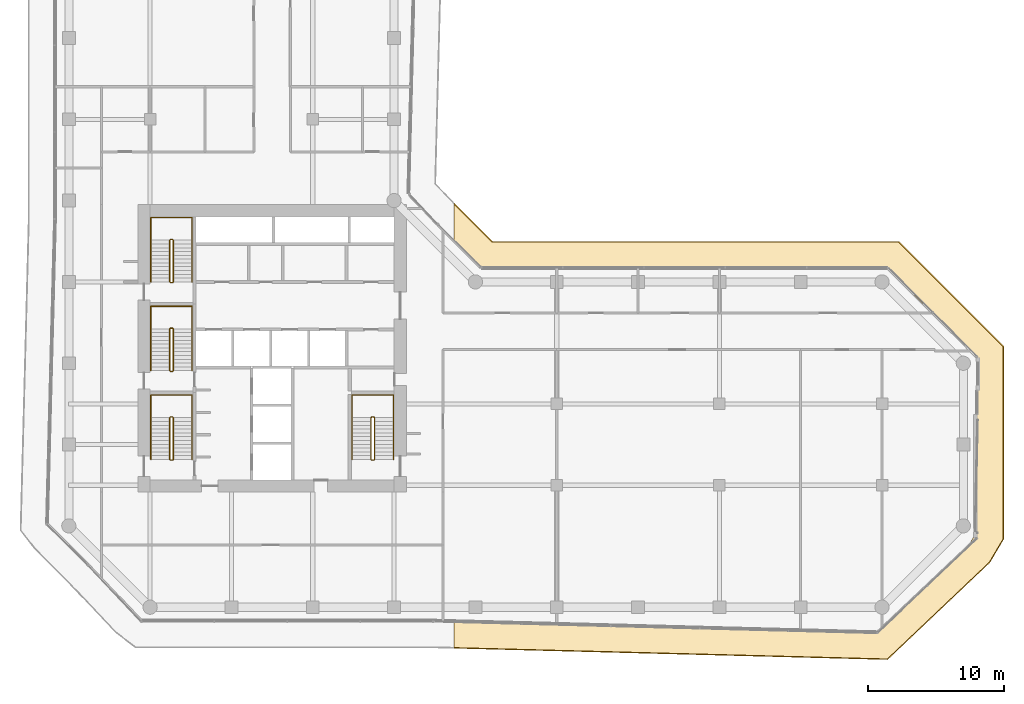
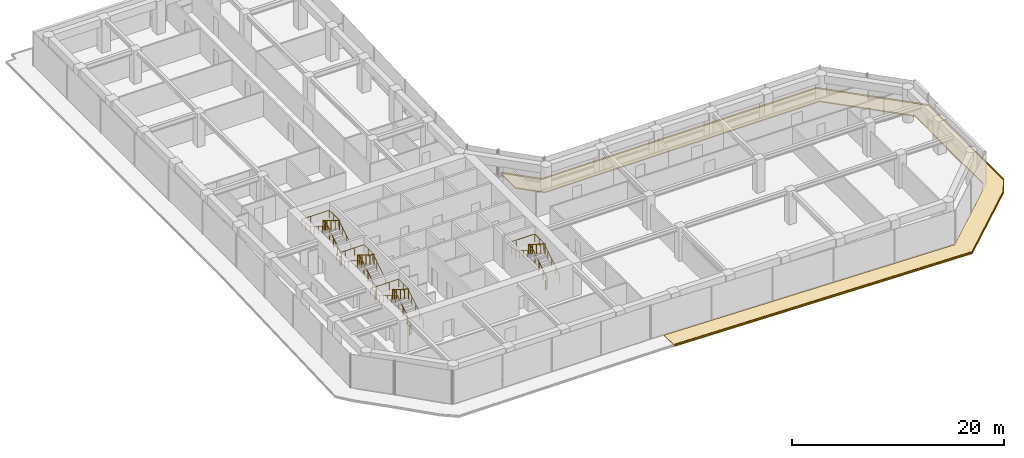
# One storey, part 27 of 28: 8 railings, 2 coverings.
"""IFC4 building model written with IfcOpenShell, lengths in metres."""

import ifcopenshell
import ifcopenshell.guid

model = None  # the IFC model being written
_history = None  # IfcOwnerHistory: only IFC2X3 demands one
_inside = {}  # id of a spatial element -> (the spatial element, [elements in it])
_under = {}  # id of a project, library or spatial element -> (it, [spatial elements below it])
_declared = {}  # id of a project -> (the project, [libraries it declares])
_typed = {}  # id of a type object -> (the type object, [elements of that type])
_made_of = {}  # id of a material, layer set ... -> (it, [elements and type objects made of it])


def new_model(schema):
    """Start an empty IFC model of exactly this schema.

    Asked for "IFC4X3", IfcOpenShell would pick the latest addendum, in which some entities
    have other attributes; the version numbers below select the first issue.
    IFC2X3 requires an IfcOwnerHistory on every rooted entity: one is made here for all.
    """
    global model, _history
    if schema == "IFC4X3":
        model = ifcopenshell.file(schema_version=(4, 3, 0, 0))
    else:
        model = ifcopenshell.file(schema=schema)
    _inside.clear()
    _under.clear()
    _declared.clear()
    _typed.clear()
    _made_of.clear()
    _history = None
    if model.schema == "IFC2X3":
        org = make("IfcOrganization", Name="unknown")
        user = make(
            "IfcPersonAndOrganization",
            ThePerson=make("IfcPerson", FamilyName="unknown"),
            TheOrganization=org,
        )
        app = make(
            "IfcApplication",
            ApplicationDeveloper=org,
            Version="unknown",
            ApplicationFullName="unknown",
            ApplicationIdentifier="unknown",
        )
        _history = make(
            "IfcOwnerHistory",
            OwningUser=user,
            OwningApplication=app,
            ChangeAction="ADDED",
            CreationDate=0,
        )
    return model


def make(cls, **values):
    """One entity of the class cls with the attributes given. An attribute that is None is left unset."""
    return model.create_entity(
        cls, **{name: value for name, value in values.items() if value is not None}
    )


def rooted(cls, **values):
    """An entity with a GlobalId (a new one), such as an element, a storey or a relation."""
    return make(cls, GlobalId=ifcopenshell.guid.new(), OwnerHistory=_history, **values)


def si_unit(unit_type, name, prefix=None):
    """IfcSIUnit, for example si_unit("LENGTHUNIT", "METRE", prefix="MILLI")."""
    return make("IfcSIUnit", UnitType=unit_type, Prefix=prefix, Name=name)


def assignment(units):
    """IfcUnitAssignment: the units of a project."""
    return None if units is None else make("IfcUnitAssignment", Units=units)


def point(xyz):
    """IfcCartesianPoint."""
    return None if xyz is None else make("IfcCartesianPoint", Coordinates=xyz)


def direction(xyz):
    """IfcDirection."""
    return None if xyz is None else make("IfcDirection", DirectionRatios=xyz)


def frame(location, z_axis=None, x_axis=None):
    """IfcAxis2Placement3D, a coordinate frame: its origin and axes. An axis left out is left unset."""
    return make(
        "IfcAxis2Placement3D",
        Location=point(location),
        Axis=direction(z_axis),
        RefDirection=direction(x_axis),
    )


def frame_2d(location, x_axis=None):
    """IfcAxis2Placement2D, a coordinate frame in the plane: its origin and x axis."""
    return make(
        "IfcAxis2Placement2D", Location=point(location), RefDirection=direction(x_axis)
    )


def origin():
    """The frame at (0, 0, 0) with its axes left unset."""
    return frame((0.0, 0.0, 0.0))


def origin_2d():
    """The frame at (0, 0) in the plane with its x axis left unset."""
    return frame_2d((0.0, 0.0))


def place(relative_to, where):
    """IfcLocalPlacement: puts the frame where relative to a parent placement (None: the world)."""
    return make(
        "IfcLocalPlacement", PlacementRelTo=relative_to, RelativePlacement=where
    )


def context(
    kind, dimensions, precision=None, world=None, true_north=None, identifier=None
):
    """IfcGeometricRepresentationContext, for example the 3D "Model" context."""
    return make(
        "IfcGeometricRepresentationContext",
        ContextIdentifier=identifier,
        ContextType=kind,
        CoordinateSpaceDimension=dimensions,
        Precision=precision,
        WorldCoordinateSystem=world,
        TrueNorth=true_north,
    )


def subcontext(parent, identifier, kind, view, scale=None):
    """IfcGeometricRepresentationSubContext, for example "Body" below "Model"."""
    return make(
        "IfcGeometricRepresentationSubContext",
        ContextIdentifier=identifier,
        ContextType=kind,
        ParentContext=parent,
        TargetScale=scale,
        TargetView=view,
    )


def project(units=None, contexts=None):
    """IfcProject with its units and contexts."""
    return rooted(
        "IfcProject",
        Name="project",
        RepresentationContexts=contexts,
        UnitsInContext=assignment(units),
    )


def spatial(cls, under=None, at=None, **own):
    """A site, building, storey or space (cls), placed at a placement, below another one or the project."""
    s = rooted(cls, ObjectPlacement=at, **own)
    if under is not None:
        _under.setdefault(under.id(), (under, []))[1].append(s)
    return s


def polyline(points):
    """IfcPolyline through the points."""
    return make("IfcPolyline", Points=[point(p) for p in points])


def profile(cls, at=None, kind="AREA", **sizes):
    """A parametric profile (cls). Its sizes go by their IFC names, for example OverallWidth=200.0."""
    return make(cls, ProfileType=kind, Position=at, **sizes)


def circle(**sizes):
    """IfcCircleProfileDef."""
    return profile("IfcCircleProfileDef", **sizes)


def outline(outer, holes=None, kind="AREA"):
    """IfcArbitraryClosedProfileDef: a profile drawn as a closed curve; with holes, ...WithVoids."""
    if holes is None:
        return make("IfcArbitraryClosedProfileDef", ProfileType=kind, OuterCurve=outer)
    return make(
        "IfcArbitraryProfileDefWithVoids",
        ProfileType=kind,
        OuterCurve=outer,
        InnerCurves=holes,
    )


def extrude(swept, where, along, depth):
    """IfcExtrudedAreaSolid: the profile swept, set in the frame where, extruded along a direction by depth."""
    return make(
        "IfcExtrudedAreaSolid",
        SweptArea=swept,
        Position=where,
        ExtrudedDirection=direction(along),
        Depth=depth,
    )


def shape(context_of_items, identifier, shape_type, items):
    """IfcShapeRepresentation: the items that make up one representation, for example the "Body"."""
    return make(
        "IfcShapeRepresentation",
        ContextOfItems=context_of_items,
        RepresentationIdentifier=identifier,
        RepresentationType=shape_type,
        Items=items,
    )


def material(Name=None, Category=None):
    """IfcMaterial."""
    return make("IfcMaterial", Name=Name, Category=Category)


def layer(
    of_material, thickness, ventilated=None, Name=None, Category=None, Priority=None
):
    """IfcMaterialLayer: one layer of a wall or slab, of a material (None: an air gap)."""
    return make(
        "IfcMaterialLayer",
        Material=of_material,
        LayerThickness=thickness,
        IsVentilated=ventilated,
        Name=Name,
        Category=Category,
        Priority=Priority,
    )


def layer_set(layers, Name=None):
    """IfcMaterialLayerSet."""
    return make("IfcMaterialLayerSet", MaterialLayers=layers, LayerSetName=Name)


def made_of(thing, what):
    """Note that an element or type object is made of a material, layer set ...; save() writes the relation."""
    if what is not None:
        _made_of.setdefault(what.id(), (what, []))[1].append(thing)
    return thing


def type_object(cls, material=None, **own):
    """A type object (cls), such as IfcWallType, which elements share."""
    return made_of(rooted(cls, **own), material)


def element(
    cls,
    number,
    at=None,
    inside=None,
    cuts=None,
    type_object=None,
    material=None,
    context=None,
    identifier="Body",
    shape_type=None,
    held_by="IfcProductDefinitionShape",
    body=None,
    shapes=None,
    **own,
):
    """One element of the class cls, such as IfcWall. Its Tag is "e" and its number.

    at: its placement. inside: the storey or other place that contains it. cuts: it is an
    opening in that element (IfcRelVoidsElement). A single representation is given by context,
    identifier, shape_type and body (its items); several are given by shapes. held_by: the class
    of the entity that holds the representations. save() writes the other relations.
    """
    e = rooted(cls, Tag="e%d" % number, ObjectPlacement=at, **own)
    if body is not None:
        shapes = [shape(context, identifier, shape_type, body)]
    if shapes is not None:
        e.Representation = make(held_by, Representations=shapes)
    if inside is not None:
        _inside.setdefault(inside.id(), (inside, []))[1].append(e)
    if cuts is not None:
        rooted(
            "IfcRelVoidsElement", RelatingBuildingElement=cuts, RelatedOpeningElement=e
        )
    if type_object is not None:
        _typed.setdefault(type_object.id(), (type_object, []))[1].append(e)
    return made_of(e, material)


def aggregate(whole, parts):
    """IfcRelAggregates: a whole, such as a stair, and the parts it consists of."""
    return rooted("IfcRelAggregates", RelatingObject=whole, RelatedObjects=parts)


def save(model, path):
    """Write the relations noted so far, then the file.

    IfcRelAggregates (storeys below a building ...), IfcRelContainedInSpatialStructure (elements
    in a storey), IfcRelDefinesByType, IfcRelAssociatesMaterial and IfcRelDeclares: one each for
    every whole, place, type object, material and project.
    """
    for whole, parts in _under.values():
        aggregate(whole, parts)
    for where, things in _inside.values():
        rooted(
            "IfcRelContainedInSpatialStructure",
            RelatedElements=things,
            RelatingStructure=where,
        )
    for kind, things in _typed.values():
        rooted("IfcRelDefinesByType", RelatedObjects=things, RelatingType=kind)
    for what, things in _made_of.values():
        rooted("IfcRelAssociatesMaterial", RelatedObjects=things, RelatingMaterial=what)
    for by, libraries in _declared.values():
        rooted("IfcRelDeclares", RelatingContext=by, RelatedDefinitions=libraries)
    model.write(path)


model = new_model("IFC4")

# Units and contexts
model_context = context("Model", 3, precision=1e-05, world=origin(), true_north=direction((0.0, 1.0)))
body_context = subcontext(model_context, "Body", "Model", "MODEL_VIEW")
ifc_project = project(units=[si_unit("LENGTHUNIT", "METRE"), si_unit("AREAUNIT", "SQUARE_METRE"), si_unit("VOLUMEUNIT", "CUBIC_METRE"), si_unit("PLANEANGLEUNIT", "RADIAN"), si_unit("MASSUNIT", "GRAM", prefix="KILO")], contexts=[model_context])

# Site, building, storey
site_placement = place(None, origin())
site = spatial("IfcSite", under=ifc_project, at=site_placement, CompositionType="ELEMENT")
building_placement = place(site_placement, origin())
building = spatial("IfcBuilding", under=site, at=building_placement, Name="Welwitschia Terrace Campus", CompositionType="ELEMENT")
storey_placement = place(building_placement, frame((0.0, 0.0, 45.800048828125)))
storey = spatial("IfcBuildingStorey", under=building, at=storey_placement, Name="L10", CompositionType="ELEMENT", Elevation=45.800048828125)

# Railings
ifc_material_1 = material(Name="Steel S355", Category="steel")
railing_type_1 = type_object("IfcRailingType", Name="Stair guard 1100", PredefinedType="GUARDRAIL", material=ifc_material_1)
railing_1_placement = place(storey_placement, frame((7.5, 6.85009765625, 0.0)))
element("IfcRailing", 1, at=railing_1_placement, inside=storey, type_object=railing_type_1, Name="L10 S1 stair guard", PredefinedType="GUARDRAIL", context=body_context, shape_type="SweptSolid", body=[
    extrude(circle(Radius=0.02392578125, at=origin_2d()), frame((0.0, 0.0, 1.076171875), z_axis=(1.0, 0.0, 0.0), x_axis=(0.0, 1.0, 0.0)), (0.0, 0.0, 1.0), 0.14990234375),
    extrude(circle(Radius=0.02392578125, at=origin_2d()), frame((0.14990234375, 0.0, 1.076171875), z_axis=(0.265155923931, 0.263862480399, 0.927399011991), x_axis=(-0.705375805398, 0.708833529934, 0.0)), (0.0, 0.0, 1.0), 0.188720703125),
    extrude(circle(Radius=0.02392578125, at=origin_2d()), frame((0.199951171875, 0.0498046875, 1.2509765625), z_axis=(0.0, 0.848028513186, 0.529950602248), x_axis=(-1.0, 0.0, 0.0)), (0.0, 0.0, 1.0), 3.632080078125),
    extrude(circle(Radius=0.02392578125, at=origin_2d()), frame((0.199951171875, 3.1298828125, 3.17578125), z_axis=(-0.707106781187, 0.707106781187, 0.0), x_axis=(-0.707106781187, -0.707106781187, 0.0)), (0.0, 0.0, 1.0), 0.07080078125),
    extrude(circle(Radius=0.02392578125, at=origin_2d()), frame((0.14990234375, 3.179931640625, 3.17578125), z_axis=(-1.0, 0.0, 0.0), x_axis=(0.0, -1.0, 0.0)), (0.0, 0.0, 1.0), 0.14990234375),
    extrude(circle(Radius=0.02392578125, at=origin_2d()), frame((0.0, 3.179931640625, 3.17578125), z_axis=(-0.265065253269, -0.265065253269, 0.927081885822), x_axis=(0.707106781187, -0.707106781187, 0.0)), (0.0, 0.0, 1.0), 0.188720703125),
    extrude(circle(Radius=0.02392578125, at=origin_2d()), frame((-0.050048828125, 3.1298828125, 3.35107421875), z_axis=(0.0, -0.847998304005, 0.529998940003), x_axis=(1.0, 0.0, 0.0)), (0.0, 0.0, 1.0), 3.632080078125),
    extrude(circle(Radius=0.02099609375, at=origin_2d()), origin(), (0.0, 0.0, 1.0), 1.052001953125),
    extrude(circle(Radius=0.02099609375, at=origin_2d()), frame((0.14990234375, 0.0, 0.0)), (0.0, 0.0, 1.0), 1.052001953125),
    extrude(circle(Radius=0.02099609375, at=origin_2d()), frame((0.199951171875, 0.0498046875, 0.175048828125)), (0.0, 0.0, 1.0), 1.052001953125),
    extrude(circle(Radius=0.02099609375, at=origin_2d()), frame((0.199951171875, 0.81982421875, 0.65625)), (0.0, 0.0, 1.0), 1.052001953125),
    extrude(circle(Radius=0.02099609375, at=origin_2d()), frame((0.199951171875, 1.58984375, 1.137451171875)), (0.0, 0.0, 1.0), 1.052001953125),
    extrude(circle(Radius=0.02099609375, at=origin_2d()), frame((0.199951171875, 2.35986328125, 1.61865234375)), (0.0, 0.0, 1.0), 1.052001953125),
    extrude(circle(Radius=0.02099609375, at=origin_2d()), frame((0.199951171875, 3.1298828125, 2.099853515625)), (0.0, 0.0, 1.0), 1.052001953125),
    extrude(circle(Radius=0.02099609375, at=origin_2d()), frame((0.14990234375, 3.179931640625, 2.099853515625)), (0.0, 0.0, 1.0), 1.052001953125),
    extrude(circle(Radius=0.02099609375, at=origin_2d()), frame((0.0, 3.179931640625, 2.099853515625)), (0.0, 0.0, 1.0), 1.052001953125),
    extrude(circle(Radius=0.02099609375, at=origin_2d()), frame((-0.050048828125, 3.1298828125, 2.27490234375)), (0.0, 0.0, 1.0), 1.052001953125),
    extrude(circle(Radius=0.02099609375, at=origin_2d()), frame((-0.050048828125, 2.35986328125, 2.756103515625)), (0.0, 0.0, 1.0), 1.052001953125),
    extrude(circle(Radius=0.02099609375, at=origin_2d()), frame((-0.050048828125, 1.58984375, 3.2373046875)), (0.0, 0.0, 1.0), 1.052001953125),
    extrude(circle(Radius=0.02099609375, at=origin_2d()), frame((-0.050048828125, 0.81982421875, 3.71875)), (0.0, 0.0, 1.0), 1.052001953125),
    extrude(circle(Radius=0.02099609375, at=origin_2d()), frame((-0.050048828125, 0.0498046875, 4.199951171875)), (0.0, 0.0, 1.0), 1.052001953125),
])
railing_2_placement = place(storey_placement, frame((7.5, 13.39990234375, 0.0)))
element("IfcRailing", 2, at=railing_2_placement, inside=storey, type_object=railing_type_1, Name="L10 S3 stair guard", PredefinedType="GUARDRAIL", context=body_context, shape_type="SweptSolid", body=[
    extrude(circle(Radius=0.02392578125, at=origin_2d()), frame((0.0, 0.0, 1.076171875), z_axis=(1.0, 0.0, 0.0), x_axis=(0.0, 1.0, 0.0)), (0.0, 0.0, 1.0), 0.14990234375),
    extrude(circle(Radius=0.02392578125, at=origin_2d()), frame((0.14990234375, 0.0, 1.076171875), z_axis=(0.265065253269, 0.265065253269, 0.927081885822), x_axis=(-0.707106781187, 0.707106781187, 0.0)), (0.0, 0.0, 1.0), 0.188720703125),
    extrude(circle(Radius=0.02392578125, at=origin_2d()), frame((0.199951171875, 0.050048828125, 1.2509765625), z_axis=(0.0, 0.848028513186, 0.529950602248), x_axis=(-1.0, 0.0, 0.0)), (0.0, 0.0, 1.0), 3.632080078125),
    extrude(circle(Radius=0.02392578125, at=origin_2d()), frame((0.199951171875, 3.130126953125, 3.17578125), z_axis=(-0.707106781187, 0.707106781187, 0.0), x_axis=(-0.707106781187, -0.707106781187, 0.0)), (0.0, 0.0, 1.0), 0.07080078125),
    extrude(circle(Radius=0.02392578125, at=origin_2d()), frame((0.14990234375, 3.18017578125, 3.17578125), z_axis=(-1.0, 0.0, 0.0), x_axis=(0.0, -1.0, 0.0)), (0.0, 0.0, 1.0), 0.14990234375),
    extrude(circle(Radius=0.02392578125, at=origin_2d()), frame((0.0, 3.18017578125, 3.17578125), z_axis=(-0.265065253269, -0.265065253269, 0.927081885822), x_axis=(0.707106781187, -0.707106781187, 0.0)), (0.0, 0.0, 1.0), 0.188720703125),
    extrude(circle(Radius=0.02392578125, at=origin_2d()), frame((-0.050048828125, 3.130126953125, 3.35107421875), z_axis=(0.0, -0.847998304005, 0.529998940003), x_axis=(1.0, 0.0, 0.0)), (0.0, 0.0, 1.0), 3.632080078125),
    extrude(circle(Radius=0.02099609375, at=origin_2d()), origin(), (0.0, 0.0, 1.0), 1.052001953125),
    extrude(circle(Radius=0.02099609375, at=origin_2d()), frame((0.14990234375, 0.0, 0.0)), (0.0, 0.0, 1.0), 1.052001953125),
    extrude(circle(Radius=0.02099609375, at=origin_2d()), frame((0.199951171875, 0.050048828125, 0.175048828125)), (0.0, 0.0, 1.0), 1.052001953125),
    extrude(circle(Radius=0.02099609375, at=origin_2d()), frame((0.199951171875, 0.820068359375, 0.65625)), (0.0, 0.0, 1.0), 1.052001953125),
    extrude(circle(Radius=0.02099609375, at=origin_2d()), frame((0.199951171875, 1.590087890625, 1.137451171875)), (0.0, 0.0, 1.0), 1.052001953125),
    extrude(circle(Radius=0.02099609375, at=origin_2d()), frame((0.199951171875, 2.360107421875, 1.61865234375)), (0.0, 0.0, 1.0), 1.052001953125),
    extrude(circle(Radius=0.02099609375, at=origin_2d()), frame((0.199951171875, 3.130126953125, 2.099853515625)), (0.0, 0.0, 1.0), 1.052001953125),
    extrude(circle(Radius=0.02099609375, at=origin_2d()), frame((0.14990234375, 3.18017578125, 2.099853515625)), (0.0, 0.0, 1.0), 1.052001953125),
    extrude(circle(Radius=0.02099609375, at=origin_2d()), frame((0.0, 3.18017578125, 2.099853515625)), (0.0, 0.0, 1.0), 1.052001953125),
    extrude(circle(Radius=0.02099609375, at=origin_2d()), frame((-0.050048828125, 3.130126953125, 2.27490234375)), (0.0, 0.0, 1.0), 1.052001953125),
    extrude(circle(Radius=0.02099609375, at=origin_2d()), frame((-0.050048828125, 2.360107421875, 2.756103515625)), (0.0, 0.0, 1.0), 1.052001953125),
    extrude(circle(Radius=0.02099609375, at=origin_2d()), frame((-0.050048828125, 1.590087890625, 3.2373046875)), (0.0, 0.0, 1.0), 1.052001953125),
    extrude(circle(Radius=0.02099609375, at=origin_2d()), frame((-0.050048828125, 0.820068359375, 3.71875)), (0.0, 0.0, 1.0), 1.052001953125),
    extrude(circle(Radius=0.02099609375, at=origin_2d()), frame((-0.050048828125, 0.050048828125, 4.199951171875)), (0.0, 0.0, 1.0), 1.052001953125),
])
railing_3_placement = place(storey_placement, frame((7.5, 19.949951171875, 0.0)))
element("IfcRailing", 3, at=railing_3_placement, inside=storey, type_object=railing_type_1, Name="L10 S4 stair guard", PredefinedType="GUARDRAIL", context=body_context, shape_type="SweptSolid", body=[
    extrude(circle(Radius=0.02392578125, at=origin_2d()), frame((0.0, 0.0, 1.076171875), z_axis=(1.0, 0.0, 0.0), x_axis=(0.0, 1.0, 0.0)), (0.0, 0.0, 1.0), 0.14990234375),
    extrude(circle(Radius=0.02392578125, at=origin_2d()), frame((0.14990234375, 0.0, 1.076171875), z_axis=(0.265065253269, 0.265065253269, 0.927081885822), x_axis=(-0.707106781187, 0.707106781187, 0.0)), (0.0, 0.0, 1.0), 0.188720703125),
    extrude(circle(Radius=0.02392578125, at=origin_2d()), frame((0.199951171875, 0.050048828125, 1.2509765625), z_axis=(0.0, 0.848028513186, 0.529950602248), x_axis=(-1.0, 0.0, 0.0)), (0.0, 0.0, 1.0), 3.632080078125),
    extrude(circle(Radius=0.02392578125, at=origin_2d()), frame((0.199951171875, 3.130126953125, 3.17578125), z_axis=(-0.708833529934, 0.705375805398, 0.0), x_axis=(-0.705375805398, -0.708833529934, 0.0)), (0.0, 0.0, 1.0), 0.070556640625),
    extrude(circle(Radius=0.02392578125, at=origin_2d()), frame((0.14990234375, 3.179931640625, 3.17578125), z_axis=(-1.0, 0.0, 0.0), x_axis=(0.0, -1.0, 0.0)), (0.0, 0.0, 1.0), 0.14990234375),
    extrude(circle(Radius=0.02392578125, at=origin_2d()), frame((0.0, 3.179931640625, 3.17578125), z_axis=(-0.265155923931, -0.263862480399, 0.927399011991), x_axis=(0.705375805398, -0.708833529934, 0.0)), (0.0, 0.0, 1.0), 0.188720703125),
    extrude(circle(Radius=0.02392578125, at=origin_2d()), frame((-0.050048828125, 3.130126953125, 3.35107421875), z_axis=(0.0, -0.847998304005, 0.529998940003), x_axis=(1.0, 0.0, 0.0)), (0.0, 0.0, 1.0), 3.632080078125),
    extrude(circle(Radius=0.02099609375, at=origin_2d()), origin(), (0.0, 0.0, 1.0), 1.052001953125),
    extrude(circle(Radius=0.02099609375, at=origin_2d()), frame((0.14990234375, 0.0, 0.0)), (0.0, 0.0, 1.0), 1.052001953125),
    extrude(circle(Radius=0.02099609375, at=origin_2d()), frame((0.199951171875, 0.050048828125, 0.175048828125)), (0.0, 0.0, 1.0), 1.052001953125),
    extrude(circle(Radius=0.02099609375, at=origin_2d()), frame((0.199951171875, 0.820068359375, 0.65625)), (0.0, 0.0, 1.0), 1.052001953125),
    extrude(circle(Radius=0.02099609375, at=origin_2d()), frame((0.199951171875, 1.590087890625, 1.137451171875)), (0.0, 0.0, 1.0), 1.052001953125),
    extrude(circle(Radius=0.02099609375, at=origin_2d()), frame((0.199951171875, 2.360107421875, 1.61865234375)), (0.0, 0.0, 1.0), 1.052001953125),
    extrude(circle(Radius=0.02099609375, at=origin_2d()), frame((0.199951171875, 3.130126953125, 2.099853515625)), (0.0, 0.0, 1.0), 1.052001953125),
    extrude(circle(Radius=0.02099609375, at=origin_2d()), frame((0.14990234375, 3.179931640625, 2.099853515625)), (0.0, 0.0, 1.0), 1.052001953125),
    extrude(circle(Radius=0.02099609375, at=origin_2d()), frame((0.0, 3.179931640625, 2.099853515625)), (0.0, 0.0, 1.0), 1.052001953125),
    extrude(circle(Radius=0.02099609375, at=origin_2d()), frame((-0.050048828125, 3.130126953125, 2.27490234375)), (0.0, 0.0, 1.0), 1.052001953125),
    extrude(circle(Radius=0.02099609375, at=origin_2d()), frame((-0.050048828125, 2.360107421875, 2.756103515625)), (0.0, 0.0, 1.0), 1.052001953125),
    extrude(circle(Radius=0.02099609375, at=origin_2d()), frame((-0.050048828125, 1.590087890625, 3.2373046875)), (0.0, 0.0, 1.0), 1.052001953125),
    extrude(circle(Radius=0.02099609375, at=origin_2d()), frame((-0.050048828125, 0.820068359375, 3.71875)), (0.0, 0.0, 1.0), 1.052001953125),
    extrude(circle(Radius=0.02099609375, at=origin_2d()), frame((-0.050048828125, 0.050048828125, 4.199951171875)), (0.0, 0.0, 1.0), 1.052001953125),
])
railing_4_placement = place(storey_placement, frame((22.35009765625, 6.85009765625, 0.0)))
element("IfcRailing", 4, at=railing_4_placement, inside=storey, type_object=railing_type_1, Name="L10 S2 stair guard", PredefinedType="GUARDRAIL", context=body_context, shape_type="SweptSolid", body=[
    extrude(circle(Radius=0.02392578125, at=origin_2d()), frame((0.0, 0.0, 1.076171875), z_axis=(1.0, 0.0, 0.0), x_axis=(0.0, 1.0, 0.0)), (0.0, 0.0, 1.0), 0.14990234375),
    extrude(circle(Radius=0.02392578125, at=origin_2d()), frame((0.14990234375, 0.0, 1.076171875), z_axis=(0.265155923931, 0.263862480399, 0.927399011991), x_axis=(-0.705375805398, 0.708833529934, 0.0)), (0.0, 0.0, 1.0), 0.188720703125),
    extrude(circle(Radius=0.02392578125, at=origin_2d()), frame((0.199951171875, 0.0498046875, 1.2509765625), z_axis=(0.0, 0.848028513186, 0.529950602248), x_axis=(-1.0, 0.0, 0.0)), (0.0, 0.0, 1.0), 3.632080078125),
    extrude(circle(Radius=0.02392578125, at=origin_2d()), frame((0.199951171875, 3.1298828125, 3.17578125), z_axis=(-0.707106781187, 0.707106781187, 0.0), x_axis=(-0.707106781187, -0.707106781187, 0.0)), (0.0, 0.0, 1.0), 0.07080078125),
    extrude(circle(Radius=0.02392578125, at=origin_2d()), frame((0.14990234375, 3.179931640625, 3.17578125), z_axis=(-1.0, 0.0, 0.0), x_axis=(0.0, -1.0, 0.0)), (0.0, 0.0, 1.0), 0.14990234375),
    extrude(circle(Radius=0.02392578125, at=origin_2d()), frame((0.0, 3.179931640625, 3.17578125), z_axis=(-0.265065253269, -0.265065253269, 0.927081885822), x_axis=(0.707106781187, -0.707106781187, 0.0)), (0.0, 0.0, 1.0), 0.188720703125),
    extrude(circle(Radius=0.02392578125, at=origin_2d()), frame((-0.050048828125, 3.1298828125, 3.35107421875), z_axis=(0.0, -0.847998304005, 0.529998940003), x_axis=(1.0, 0.0, 0.0)), (0.0, 0.0, 1.0), 3.632080078125),
    extrude(circle(Radius=0.02099609375, at=origin_2d()), origin(), (0.0, 0.0, 1.0), 1.052001953125),
    extrude(circle(Radius=0.02099609375, at=origin_2d()), frame((0.14990234375, 0.0, 0.0)), (0.0, 0.0, 1.0), 1.052001953125),
    extrude(circle(Radius=0.02099609375, at=origin_2d()), frame((0.199951171875, 0.0498046875, 0.175048828125)), (0.0, 0.0, 1.0), 1.052001953125),
    extrude(circle(Radius=0.02099609375, at=origin_2d()), frame((0.199951171875, 0.81982421875, 0.65625)), (0.0, 0.0, 1.0), 1.052001953125),
    extrude(circle(Radius=0.02099609375, at=origin_2d()), frame((0.199951171875, 1.58984375, 1.137451171875)), (0.0, 0.0, 1.0), 1.052001953125),
    extrude(circle(Radius=0.02099609375, at=origin_2d()), frame((0.199951171875, 2.35986328125, 1.61865234375)), (0.0, 0.0, 1.0), 1.052001953125),
    extrude(circle(Radius=0.02099609375, at=origin_2d()), frame((0.199951171875, 3.1298828125, 2.099853515625)), (0.0, 0.0, 1.0), 1.052001953125),
    extrude(circle(Radius=0.02099609375, at=origin_2d()), frame((0.14990234375, 3.179931640625, 2.099853515625)), (0.0, 0.0, 1.0), 1.052001953125),
    extrude(circle(Radius=0.02099609375, at=origin_2d()), frame((0.0, 3.179931640625, 2.099853515625)), (0.0, 0.0, 1.0), 1.052001953125),
    extrude(circle(Radius=0.02099609375, at=origin_2d()), frame((-0.050048828125, 3.1298828125, 2.27490234375)), (0.0, 0.0, 1.0), 1.052001953125),
    extrude(circle(Radius=0.02099609375, at=origin_2d()), frame((-0.050048828125, 2.35986328125, 2.756103515625)), (0.0, 0.0, 1.0), 1.052001953125),
    extrude(circle(Radius=0.02099609375, at=origin_2d()), frame((-0.050048828125, 1.58984375, 3.2373046875)), (0.0, 0.0, 1.0), 1.052001953125),
    extrude(circle(Radius=0.02099609375, at=origin_2d()), frame((-0.050048828125, 0.81982421875, 3.71875)), (0.0, 0.0, 1.0), 1.052001953125),
    extrude(circle(Radius=0.02099609375, at=origin_2d()), frame((-0.050048828125, 0.0498046875, 4.199951171875)), (0.0, 0.0, 1.0), 1.052001953125),
])
ifc_material_2 = material(Name="Steel S355", Category="steel")
railing_type_2 = type_object("IfcRailingType", Name="Stair handrail 900", PredefinedType="HANDRAIL", material=ifc_material_2)
railing_5_placement = place(storey_placement, frame((9.10009765625, 6.89990234375, 0.175048828125)))
element("IfcRailing", 5, at=railing_5_placement, inside=storey, type_object=railing_type_2, Name="L10 S1 stair handrail", PredefinedType="HANDRAIL", context=body_context, shape_type="SweptSolid", body=[
    extrude(circle(Radius=0.02392578125, at=origin_2d()), frame((0.0, 0.0, 0.8759765625), z_axis=(0.0, 0.848028513186, 0.529950602248), x_axis=(-1.0, 0.0, 0.0)), (0.0, 0.0, 1.0), 3.632080078125),
    extrude(circle(Radius=0.02392578125, at=origin_2d()), frame((0.0, 3.080078125, 2.80078125), z_axis=(0.0, 1.0, 0.0), x_axis=(-1.0, 0.0, 0.0)), (0.0, 0.0, 1.0), 1.669921875),
    extrude(circle(Radius=0.02392578125, at=origin_2d()), frame((0.0, 4.75, 2.80078125), z_axis=(-1.0, 0.0, 0.0), x_axis=(0.0, -1.0, 0.0)), (0.0, 0.0, 1.0), 3.050048828125),
    extrude(circle(Radius=0.02392578125, at=origin_2d()), frame((-3.050048828125, 4.75, 2.80078125), z_axis=(0.0, -0.99455077262, 0.104253348533), x_axis=(1.0, 0.0, 0.0)), (0.0, 0.0, 1.0), 1.678955078125),
    extrude(circle(Radius=0.02392578125, at=origin_2d()), frame((-3.050048828125, 3.080078125, 2.9755859375), z_axis=(0.0, -0.847998304005, 0.529998940003), x_axis=(1.0, 0.0, 0.0)), (0.0, 0.0, 1.0), 3.632080078125),
    extrude(circle(Radius=0.02099609375, at=origin_2d()), origin(), (0.0, 0.0, 1.0), 0.851806640625),
    extrude(circle(Radius=0.02099609375, at=origin_2d()), frame((0.0, 0.77001953125, 0.481201171875)), (0.0, 0.0, 1.0), 0.851806640625),
    extrude(circle(Radius=0.02099609375, at=origin_2d()), frame((0.0, 1.5400390625, 0.96240234375)), (0.0, 0.0, 1.0), 0.851806640625),
    extrude(circle(Radius=0.02099609375, at=origin_2d()), frame((0.0, 2.31005859375, 1.443603515625)), (0.0, 0.0, 1.0), 0.851806640625),
    extrude(circle(Radius=0.02099609375, at=origin_2d()), frame((0.0, 3.080078125, 1.9248046875)), (0.0, 0.0, 1.0), 0.851806640625),
    extrude(circle(Radius=0.02099609375, at=origin_2d()), frame((0.0, 3.9150390625, 1.9248046875)), (0.0, 0.0, 1.0), 0.851806640625),
    extrude(circle(Radius=0.02099609375, at=origin_2d()), frame((0.0, 4.75, 1.9248046875)), (0.0, 0.0, 1.0), 0.851806640625),
    extrude(circle(Radius=0.02099609375, at=origin_2d()), frame((-1.0166015625, 4.75, 1.9248046875)), (0.0, 0.0, 1.0), 0.851806640625),
    extrude(circle(Radius=0.02099609375, at=origin_2d()), frame((-2.033447265625, 4.75, 1.9248046875)), (0.0, 0.0, 1.0), 0.851806640625),
    extrude(circle(Radius=0.02099609375, at=origin_2d()), frame((-3.050048828125, 4.75, 1.9248046875)), (0.0, 0.0, 1.0), 0.851806640625),
    extrude(circle(Radius=0.02099609375, at=origin_2d()), frame((-3.050048828125, 3.9150390625, 2.01220703125)), (0.0, 0.0, 1.0), 0.851806640625),
    extrude(circle(Radius=0.02099609375, at=origin_2d()), frame((-3.050048828125, 3.080078125, 2.099853515625)), (0.0, 0.0, 1.0), 0.851806640625),
    extrude(circle(Radius=0.02099609375, at=origin_2d()), frame((-3.050048828125, 2.31005859375, 2.5810546875)), (0.0, 0.0, 1.0), 0.851806640625),
    extrude(circle(Radius=0.02099609375, at=origin_2d()), frame((-3.050048828125, 1.5400390625, 3.0625)), (0.0, 0.0, 1.0), 0.851806640625),
    extrude(circle(Radius=0.02099609375, at=origin_2d()), frame((-3.050048828125, 0.77001953125, 3.543701171875)), (0.0, 0.0, 1.0), 0.851806640625),
    extrude(circle(Radius=0.02099609375, at=origin_2d()), frame((-3.050048828125, 0.0, 4.02490234375)), (0.0, 0.0, 1.0), 0.851806640625),
])
railing_6_placement = place(storey_placement, frame((9.10009765625, 13.449951171875, 0.175048828125)))
element("IfcRailing", 6, at=railing_6_placement, inside=storey, type_object=railing_type_2, Name="L10 S3 stair handrail", PredefinedType="HANDRAIL", context=body_context, shape_type="SweptSolid", body=[
    extrude(circle(Radius=0.02392578125, at=origin_2d()), frame((0.0, 0.0, 0.8759765625), z_axis=(0.0, 0.848028513186, 0.529950602248), x_axis=(-1.0, 0.0, 0.0)), (0.0, 0.0, 1.0), 3.632080078125),
    extrude(circle(Radius=0.02392578125, at=origin_2d()), frame((0.0, 3.080078125, 2.80078125), z_axis=(0.0, 1.0, 0.0), x_axis=(-1.0, 0.0, 0.0)), (0.0, 0.0, 1.0), 1.669921875),
    extrude(circle(Radius=0.02392578125, at=origin_2d()), frame((0.0, 4.75, 2.80078125), z_axis=(-1.0, 0.0, 0.0), x_axis=(0.0, -1.0, 0.0)), (0.0, 0.0, 1.0), 3.050048828125),
    extrude(circle(Radius=0.02392578125, at=origin_2d()), frame((-3.050048828125, 4.75, 2.80078125), z_axis=(0.0, -0.99455077262, 0.104253348533), x_axis=(1.0, 0.0, 0.0)), (0.0, 0.0, 1.0), 1.678955078125),
    extrude(circle(Radius=0.02392578125, at=origin_2d()), frame((-3.050048828125, 3.080078125, 2.9755859375), z_axis=(0.0, -0.847998304005, 0.529998940003), x_axis=(1.0, 0.0, 0.0)), (0.0, 0.0, 1.0), 3.632080078125),
    extrude(circle(Radius=0.02099609375, at=origin_2d()), origin(), (0.0, 0.0, 1.0), 0.851806640625),
    extrude(circle(Radius=0.02099609375, at=origin_2d()), frame((0.0, 0.77001953125, 0.481201171875)), (0.0, 0.0, 1.0), 0.851806640625),
    extrude(circle(Radius=0.02099609375, at=origin_2d()), frame((0.0, 1.5400390625, 0.96240234375)), (0.0, 0.0, 1.0), 0.851806640625),
    extrude(circle(Radius=0.02099609375, at=origin_2d()), frame((0.0, 2.31005859375, 1.443603515625)), (0.0, 0.0, 1.0), 0.851806640625),
    extrude(circle(Radius=0.02099609375, at=origin_2d()), frame((0.0, 3.080078125, 1.9248046875)), (0.0, 0.0, 1.0), 0.851806640625),
    extrude(circle(Radius=0.02099609375, at=origin_2d()), frame((0.0, 3.9150390625, 1.9248046875)), (0.0, 0.0, 1.0), 0.851806640625),
    extrude(circle(Radius=0.02099609375, at=origin_2d()), frame((0.0, 4.75, 1.9248046875)), (0.0, 0.0, 1.0), 0.851806640625),
    extrude(circle(Radius=0.02099609375, at=origin_2d()), frame((-1.0166015625, 4.75, 1.9248046875)), (0.0, 0.0, 1.0), 0.851806640625),
    extrude(circle(Radius=0.02099609375, at=origin_2d()), frame((-2.033447265625, 4.75, 1.9248046875)), (0.0, 0.0, 1.0), 0.851806640625),
    extrude(circle(Radius=0.02099609375, at=origin_2d()), frame((-3.050048828125, 4.75, 1.9248046875)), (0.0, 0.0, 1.0), 0.851806640625),
    extrude(circle(Radius=0.02099609375, at=origin_2d()), frame((-3.050048828125, 3.9150390625, 2.01220703125)), (0.0, 0.0, 1.0), 0.851806640625),
    extrude(circle(Radius=0.02099609375, at=origin_2d()), frame((-3.050048828125, 3.080078125, 2.099853515625)), (0.0, 0.0, 1.0), 0.851806640625),
    extrude(circle(Radius=0.02099609375, at=origin_2d()), frame((-3.050048828125, 2.31005859375, 2.5810546875)), (0.0, 0.0, 1.0), 0.851806640625),
    extrude(circle(Radius=0.02099609375, at=origin_2d()), frame((-3.050048828125, 1.5400390625, 3.0625)), (0.0, 0.0, 1.0), 0.851806640625),
    extrude(circle(Radius=0.02099609375, at=origin_2d()), frame((-3.050048828125, 0.77001953125, 3.543701171875)), (0.0, 0.0, 1.0), 0.851806640625),
    extrude(circle(Radius=0.02099609375, at=origin_2d()), frame((-3.050048828125, 0.0, 4.02490234375)), (0.0, 0.0, 1.0), 0.851806640625),
])
railing_7_placement = place(storey_placement, frame((9.10009765625, 20.0, 0.175048828125)))
element("IfcRailing", 7, at=railing_7_placement, inside=storey, type_object=railing_type_2, Name="L10 S4 stair handrail", PredefinedType="HANDRAIL", context=body_context, shape_type="SweptSolid", body=[
    extrude(circle(Radius=0.02392578125, at=origin_2d()), frame((0.0, 0.0, 0.8759765625), z_axis=(0.0, 0.848028513186, 0.529950602248), x_axis=(-1.0, 0.0, 0.0)), (0.0, 0.0, 1.0), 3.632080078125),
    extrude(circle(Radius=0.02392578125, at=origin_2d()), frame((0.0, 3.080078125, 2.80078125), z_axis=(0.0, 1.0, 0.0), x_axis=(-1.0, 0.0, 0.0)), (0.0, 0.0, 1.0), 1.669921875),
    extrude(circle(Radius=0.02392578125, at=origin_2d()), frame((0.0, 4.75, 2.80078125), z_axis=(-1.0, 0.0, 0.0), x_axis=(0.0, -1.0, 0.0)), (0.0, 0.0, 1.0), 3.050048828125),
    extrude(circle(Radius=0.02392578125, at=origin_2d()), frame((-3.050048828125, 4.75, 2.80078125), z_axis=(0.0, -0.99455077262, 0.104253348533), x_axis=(1.0, 0.0, 0.0)), (0.0, 0.0, 1.0), 1.678955078125),
    extrude(circle(Radius=0.02392578125, at=origin_2d()), frame((-3.050048828125, 3.080078125, 2.9755859375), z_axis=(0.0, -0.847998304005, 0.529998940003), x_axis=(1.0, 0.0, 0.0)), (0.0, 0.0, 1.0), 3.632080078125),
    extrude(circle(Radius=0.02099609375, at=origin_2d()), origin(), (0.0, 0.0, 1.0), 0.851806640625),
    extrude(circle(Radius=0.02099609375, at=origin_2d()), frame((0.0, 0.77001953125, 0.481201171875)), (0.0, 0.0, 1.0), 0.851806640625),
    extrude(circle(Radius=0.02099609375, at=origin_2d()), frame((0.0, 1.5400390625, 0.96240234375)), (0.0, 0.0, 1.0), 0.851806640625),
    extrude(circle(Radius=0.02099609375, at=origin_2d()), frame((0.0, 2.31005859375, 1.443603515625)), (0.0, 0.0, 1.0), 0.851806640625),
    extrude(circle(Radius=0.02099609375, at=origin_2d()), frame((0.0, 3.080078125, 1.9248046875)), (0.0, 0.0, 1.0), 0.851806640625),
    extrude(circle(Radius=0.02099609375, at=origin_2d()), frame((0.0, 3.9150390625, 1.9248046875)), (0.0, 0.0, 1.0), 0.851806640625),
    extrude(circle(Radius=0.02099609375, at=origin_2d()), frame((0.0, 4.75, 1.9248046875)), (0.0, 0.0, 1.0), 0.851806640625),
    extrude(circle(Radius=0.02099609375, at=origin_2d()), frame((-1.0166015625, 4.75, 1.9248046875)), (0.0, 0.0, 1.0), 0.851806640625),
    extrude(circle(Radius=0.02099609375, at=origin_2d()), frame((-2.033447265625, 4.75, 1.9248046875)), (0.0, 0.0, 1.0), 0.851806640625),
    extrude(circle(Radius=0.02099609375, at=origin_2d()), frame((-3.050048828125, 4.75, 1.9248046875)), (0.0, 0.0, 1.0), 0.851806640625),
    extrude(circle(Radius=0.02099609375, at=origin_2d()), frame((-3.050048828125, 3.9150390625, 2.01220703125)), (0.0, 0.0, 1.0), 0.851806640625),
    extrude(circle(Radius=0.02099609375, at=origin_2d()), frame((-3.050048828125, 3.080078125, 2.099853515625)), (0.0, 0.0, 1.0), 0.851806640625),
    extrude(circle(Radius=0.02099609375, at=origin_2d()), frame((-3.050048828125, 2.31005859375, 2.5810546875)), (0.0, 0.0, 1.0), 0.851806640625),
    extrude(circle(Radius=0.02099609375, at=origin_2d()), frame((-3.050048828125, 1.5400390625, 3.0625)), (0.0, 0.0, 1.0), 0.851806640625),
    extrude(circle(Radius=0.02099609375, at=origin_2d()), frame((-3.050048828125, 0.77001953125, 3.543701171875)), (0.0, 0.0, 1.0), 0.851806640625),
    extrude(circle(Radius=0.02099609375, at=origin_2d()), frame((-3.050048828125, 0.0, 4.02490234375)), (0.0, 0.0, 1.0), 0.851806640625),
])
railing_8_placement = place(storey_placement, frame((23.949951171875, 6.89990234375, 0.175048828125)))
element("IfcRailing", 8, at=railing_8_placement, inside=storey, type_object=railing_type_2, Name="L10 S2 stair handrail", PredefinedType="HANDRAIL", context=body_context, shape_type="SweptSolid", body=[
    extrude(circle(Radius=0.02392578125, at=origin_2d()), frame((0.0, 0.0, 0.8759765625), z_axis=(0.0, 0.848028513186, 0.529950602248), x_axis=(-1.0, 0.0, 0.0)), (0.0, 0.0, 1.0), 3.632080078125),
    extrude(circle(Radius=0.02392578125, at=origin_2d()), frame((0.0, 3.080078125, 2.80078125), z_axis=(0.0, 1.0, 0.0), x_axis=(-1.0, 0.0, 0.0)), (0.0, 0.0, 1.0), 1.669921875),
    extrude(circle(Radius=0.02392578125, at=origin_2d()), frame((0.0, 4.75, 2.80078125), z_axis=(-1.0, 0.0, 0.0), x_axis=(0.0, -1.0, 0.0)), (0.0, 0.0, 1.0), 3.050048828125),
    extrude(circle(Radius=0.02392578125, at=origin_2d()), frame((-3.050048828125, 4.75, 2.80078125), z_axis=(0.0, -0.99455077262, 0.104253348533), x_axis=(1.0, 0.0, 0.0)), (0.0, 0.0, 1.0), 1.678955078125),
    extrude(circle(Radius=0.02392578125, at=origin_2d()), frame((-3.050048828125, 3.080078125, 2.9755859375), z_axis=(0.0, -0.847998304005, 0.529998940003), x_axis=(1.0, 0.0, 0.0)), (0.0, 0.0, 1.0), 3.632080078125),
    extrude(circle(Radius=0.02099609375, at=origin_2d()), origin(), (0.0, 0.0, 1.0), 0.851806640625),
    extrude(circle(Radius=0.02099609375, at=origin_2d()), frame((0.0, 0.77001953125, 0.481201171875)), (0.0, 0.0, 1.0), 0.851806640625),
    extrude(circle(Radius=0.02099609375, at=origin_2d()), frame((0.0, 1.5400390625, 0.96240234375)), (0.0, 0.0, 1.0), 0.851806640625),
    extrude(circle(Radius=0.02099609375, at=origin_2d()), frame((0.0, 2.31005859375, 1.443603515625)), (0.0, 0.0, 1.0), 0.851806640625),
    extrude(circle(Radius=0.02099609375, at=origin_2d()), frame((0.0, 3.080078125, 1.9248046875)), (0.0, 0.0, 1.0), 0.851806640625),
    extrude(circle(Radius=0.02099609375, at=origin_2d()), frame((0.0, 3.9150390625, 1.9248046875)), (0.0, 0.0, 1.0), 0.851806640625),
    extrude(circle(Radius=0.02099609375, at=origin_2d()), frame((0.0, 4.75, 1.9248046875)), (0.0, 0.0, 1.0), 0.851806640625),
    extrude(circle(Radius=0.02099609375, at=origin_2d()), frame((-1.0166015625, 4.75, 1.9248046875)), (0.0, 0.0, 1.0), 0.851806640625),
    extrude(circle(Radius=0.02099609375, at=origin_2d()), frame((-2.033447265625, 4.75, 1.9248046875)), (0.0, 0.0, 1.0), 0.851806640625),
    extrude(circle(Radius=0.02099609375, at=origin_2d()), frame((-3.050048828125, 4.75, 1.9248046875)), (0.0, 0.0, 1.0), 0.851806640625),
    extrude(circle(Radius=0.02099609375, at=origin_2d()), frame((-3.050048828125, 3.9150390625, 2.01220703125)), (0.0, 0.0, 1.0), 0.851806640625),
    extrude(circle(Radius=0.02099609375, at=origin_2d()), frame((-3.050048828125, 3.080078125, 2.099853515625)), (0.0, 0.0, 1.0), 0.851806640625),
    extrude(circle(Radius=0.02099609375, at=origin_2d()), frame((-3.050048828125, 2.31005859375, 2.5810546875)), (0.0, 0.0, 1.0), 0.851806640625),
    extrude(circle(Radius=0.02099609375, at=origin_2d()), frame((-3.050048828125, 1.5400390625, 3.0625)), (0.0, 0.0, 1.0), 0.851806640625),
    extrude(circle(Radius=0.02099609375, at=origin_2d()), frame((-3.050048828125, 0.77001953125, 3.543701171875)), (0.0, 0.0, 1.0), 0.851806640625),
    extrude(circle(Radius=0.02099609375, at=origin_2d()), frame((-3.050048828125, 0.0, 4.02490234375)), (0.0, 0.0, 1.0), 0.851806640625),
])

# Coverings
ifc_material_3 = material(Name="Bronze anodised aluminium", Category="aluminium")
ifc_layer_1 = layer(ifc_material_3, 0.1201171875)
ifc_layer_set_1 = layer_set([ifc_layer_1], Name="Bronze anodised aluminium")
covering_type_1 = type_object("IfcCoveringType", Name="Sunshade band 2000", PredefinedType="USERDEFINED", material=ifc_layer_set_1)
covering_1_placement = place(storey_placement, frame((0.0, 0.0, -0.25)))
element("IfcCovering", 9, at=covering_1_placement, inside=storey, type_object=covering_type_1, Name="SUNSHADE L10.SE0", ObjectType="SUNSHADE", PredefinedType="USERDEFINED", context=body_context, shape_type="SweptSolid", body=[
    extrude(outline(polyline([(28.41552734375, 25.838623046875), (31.24267578125, 23.0), (61.24267578125, 23.0), (69.0, 15.24267578125), (69.0, 1.040771484375), (67.972900390625, -0.70361328125), (60.412109375, -7.878662109375), (28.41552734375, -7.040771484375), (28.41552734375, -5.0400390625), (59.63623046875, -5.857666015625), (66.39208984375, 0.553466796875), (67.0, 1.585693359375), (67.0, 14.414306640625), (60.414306640625, 21.0), (30.414306640625, 21.0), (28.41552734375, 22.998779296875), (28.41552734375, 25.838623046875)])), origin(), (0.0, 0.0, 1.0), 0.119873046875),
])
ifc_material_4 = material(Name="Bronze anodised aluminium", Category="aluminium")
ifc_layer_2 = layer(ifc_material_4, 0.06005859375)
ifc_layer_set_2 = layer_set([ifc_layer_2], Name="Bronze anodised aluminium")
covering_type_2 = type_object("IfcCoveringType", Name="Sunshade lip 60", PredefinedType="USERDEFINED", material=ifc_layer_set_2)
covering_2_placement = place(storey_placement, frame((0.0, 0.0, -0.130126953125)))
element("IfcCovering", 10, at=covering_2_placement, inside=storey, type_object=covering_type_2, Name="SUNSHADE LIP L10.SE0.0", ObjectType="SUNSHADE", PredefinedType="USERDEFINED", context=body_context, shape_type="SweptSolid", body=[
    extrude(outline(polyline([(31.24267578125, 23.0), (61.24267578125, 23.0), (69.0, 15.24267578125), (69.0, 1.040771484375), (67.972900390625, -0.70361328125), (60.412109375, -7.878662109375), (28.41552734375, -7.040771484375), (28.41552734375, -6.980712890625), (60.388916015625, -7.818115234375), (67.925537109375, -0.666015625), (68.93994140625, 1.05712890625), (68.93994140625, 15.2177734375), (61.2177734375, 22.93994140625), (31.2177734375, 22.93994140625), (28.587646484375, 25.570068359375), (28.41552734375, 25.751708984375), (28.41552734375, 25.838623046875), (31.24267578125, 23.0)])), origin(), (0.0, 0.0, 1.0), 0.130126953125),
])

save(model, "model.ifc")
